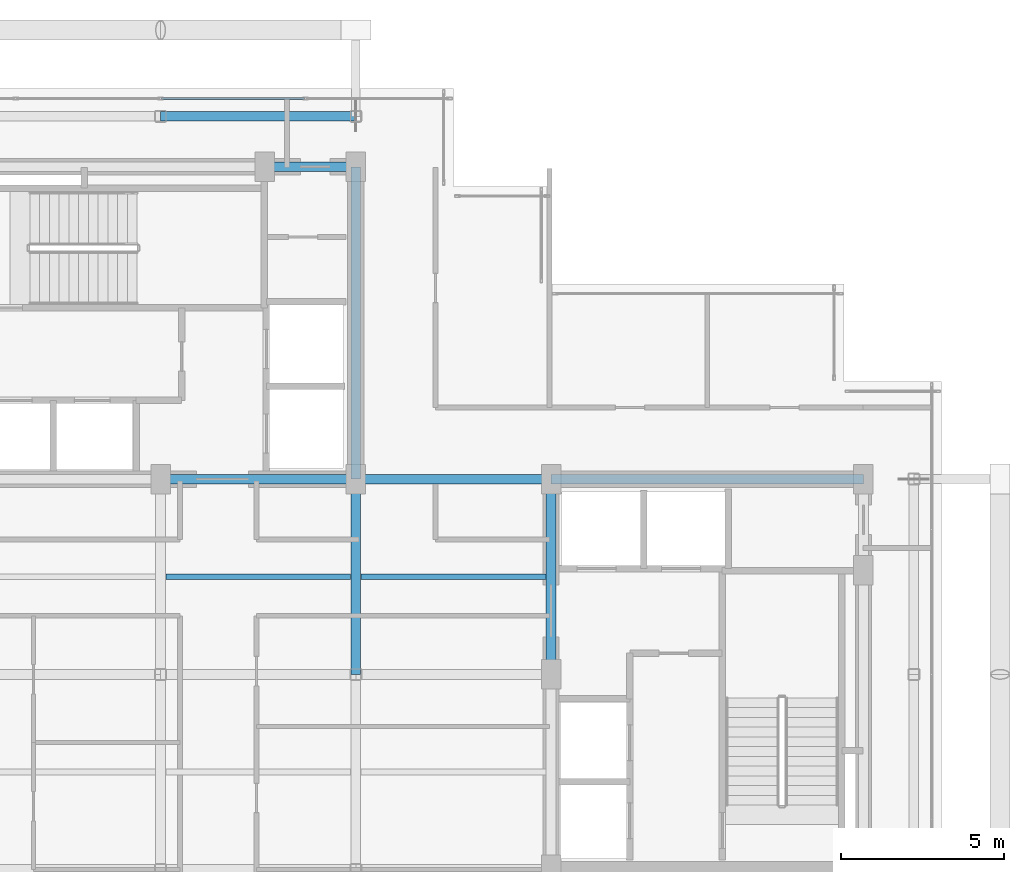
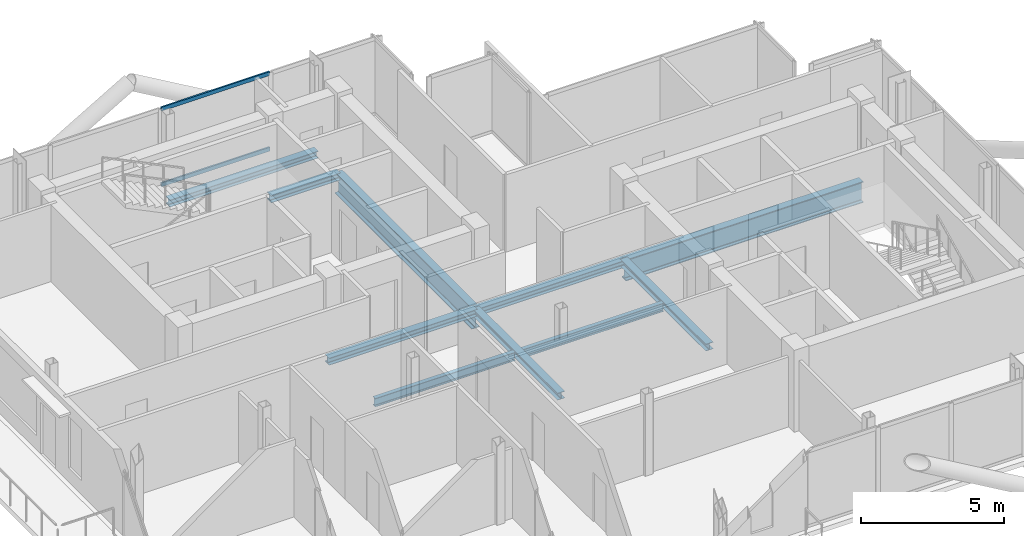
# One storey, part 9 of 18: 10 beams, 2 members, 1 element without a shape of its own.
"""IFC4 building model written with IfcOpenShell, lengths in metres."""

from ifc_helpers import new_model, si_unit, direction, frame, origin, origin_2d, place, context, subcontext, project, spatial, hollow_rectangle, i_section, extrude, material, layer, layer_set, material_profile, profile_set, type_object, element, aggregate, save


model = new_model("IFC4")

# Units and contexts
model_context = context("Model", 3, precision=1e-05, world=origin(), true_north=direction((0.0, 1.0)))
body_context = subcontext(model_context, "Body", "Model", "MODEL_VIEW")
ifc_project = project(units=[si_unit("LENGTHUNIT", "METRE"), si_unit("AREAUNIT", "SQUARE_METRE"), si_unit("VOLUMEUNIT", "CUBIC_METRE"), si_unit("PLANEANGLEUNIT", "RADIAN"), si_unit("MASSUNIT", "GRAM", prefix="KILO"), si_unit("THERMODYNAMICTEMPERATUREUNIT", "KELVIN"), si_unit("POWERUNIT", "WATT")], contexts=[model_context])

# Site, building, storey
site_placement = place(None, origin())
site = spatial("IfcSite", under=ifc_project, at=site_placement, CompositionType="ELEMENT")
building_placement = place(site_placement, origin())
building = spatial("IfcBuilding", under=site, at=building_placement, Name="Svarakhadi Broadcast Tower", CompositionType="ELEMENT")
storey_placement = place(building_placement, frame((0.0, 0.0, 264.199951171875)))
storey = spatial("IfcBuildingStorey", under=building, at=storey_placement, Name="L66", CompositionType="ELEMENT", Elevation=264.199951171875)

# Beams
ifc_material_1 = material(Name="Steel S355J2 (IS 2062 E350C)", Category="steel")
ifc_material_profile_1 = material_profile(ifc_material_1, i_section(OverallWidth=0.169921875, OverallDepth=0.360107421875, WebThickness=0.008056640625, FlangeThickness=0.0126953125, FilletRadius=0.01806640625, at=origin_2d()), Name="NPB 360x170x57")
ifc_profile_set_1 = profile_set([ifc_material_profile_1], Name="Steel S355J2 (IS 2062 E350C)")
beam_type_1 = type_object("IfcBeamType", Name="Beam_NPB360", PredefinedType="BEAM", material=ifc_profile_set_1)
for number, where, z_axis, x_axis, name in (
    (1, (12.159912109375, 15.0, -0.3798828125), (1.0, 0.0, 0.0), (0.0, 1.0, 0.0), "L66 Secondary Composite Beam SB009"),
    (2, (18.159912109375, 15.0, -0.3798828125), (1.0, 0.0, 0.0), (0.0, 1.0, 0.0), "L66 Secondary Composite Beam SB012"),
):
    element("IfcBeam", number, at=place(storey_placement, frame(where, z_axis=z_axis, x_axis=x_axis)), inside=storey, type_object=beam_type_1, Name=name, PredefinedType="BEAM", context=body_context, shape_type="SweptSolid", body=[
        extrude(i_section(OverallWidth=0.169921875, OverallDepth=0.360107421875, WebThickness=0.008056640625, FlangeThickness=0.0126953125, FilletRadius=0.01806640625, at=origin_2d()), origin(), (0.0, 0.0, 1.0), 5.68017578125),
    ])

# Curtain wall, members
ifc_material_2 = material(Name="Anodised Bronze Aluminium AA 6063-T6", Category="aluminium")
ifc_layer = layer(ifc_material_2, 0.179931640625)
ifc_layer_set = layer_set([ifc_layer], Name="Anodised Bronze Aluminium AA 6063-T6")
curtain_wall_type = type_object("IfcCurtainWallType", Name="CW_Sys_05", PredefinedType="NOTDEFINED", material=ifc_layer_set)
curtain_wall_placement = place(storey_placement, origin())
curtain_wall = element("IfcCurtainWall", 3, at=curtain_wall_placement, inside=storey, type_object=curtain_wall_type, Name="L66 Unitised Facade Curtain Wall 06", PredefinedType="NOTDEFINED")
ifc_material_profile_2 = material_profile(ifc_material_2, hollow_rectangle(XDim=0.06494140625, YDim=0.1650390625, WallThickness=0.0048828125, at=origin_2d()), Name="ALU TRANSOM 165x65x5")
ifc_profile_set_2 = profile_set([ifc_material_profile_2], Name="Anodised Bronze Aluminium AA 6063-T6")
member_type = type_object("IfcMemberType", Name="CW_Sys_05_Trn", PredefinedType="USERDEFINED", material=ifc_profile_set_2)
member_1_placement = place(storey_placement, frame((12.034912109375, 29.699951171875, 0.032470703125), z_axis=(1.0, 0.0, 0.0), x_axis=(0.0, 1.0, 0.0)))
member_1 = element("IfcMember", 4, at=member_1_placement, type_object=member_type, Name="CW-05 transom 3.1", ObjectType="TRANSOM", PredefinedType="USERDEFINED", context=body_context, shape_type="SweptSolid", body=[
    extrude(hollow_rectangle(XDim=0.06494140625, YDim=0.1650390625, WallThickness=0.0048828125, at=origin_2d()), origin(), (0.0, 0.0, 1.0), 4.385009765625),
])
member_2_placement = place(storey_placement, frame((12.034912109375, 29.699951171875, 3.267578125), z_axis=(1.0, 0.0, 0.0), x_axis=(0.0, 1.0, 0.0)))
member_2 = element("IfcMember", 5, at=member_2_placement, type_object=member_type, Name="CW-05 transom 3.2", ObjectType="TRANSOM", PredefinedType="USERDEFINED", context=body_context, shape_type="SweptSolid", body=[
    extrude(hollow_rectangle(XDim=0.06494140625, YDim=0.1650390625, WallThickness=0.0048828125, at=origin_2d()), origin(), (0.0, 0.0, 1.0), 4.385009765625),
])
aggregate(curtain_wall, [member_1, member_2])

# Beams
ifc_material_profile_3 = material_profile(ifc_material_1, i_section(OverallWidth=0.300048828125, OverallDepth=0.300048828125, WebThickness=0.010986328125, FlangeThickness=0.01904296875, FilletRadius=0.027099609375, at=origin_2d()), Name="WPB 300x300x117")
ifc_profile_set_3 = profile_set([ifc_material_profile_3], Name="Steel S355J2 (IS 2062 E350C)")
beam_type_2 = type_object("IfcBeamType", Name="Girder_WPB300", PredefinedType="USERDEFINED", material=ifc_profile_set_3)
for number, where, z_axis, x_axis, name in (
    (6, (12.0, 18.0, -0.349853515625), (1.0, 0.0, 0.0), (0.0, 1.0, 0.0), "L66 Primary E-W Girder G019"),
    (7, (18.0, 18.0, -0.349853515625), (1.0, 0.0, 0.0), (0.0, 1.0, 0.0), "L66 Primary E-W Girder G020"),
):
    element("IfcBeam", number, at=place(storey_placement, frame(where, z_axis=z_axis, x_axis=x_axis)), inside=storey, type_object=beam_type_2, Name=name, ObjectType="GIRDER", PredefinedType="USERDEFINED", context=body_context, shape_type="SweptSolid", body=[
        extrude(i_section(OverallWidth=0.300048828125, OverallDepth=0.300048828125, WebThickness=0.010986328125, FlangeThickness=0.01904296875, FilletRadius=0.027099609375, at=origin_2d()), origin(), (0.0, 0.0, 1.0), 6.0),
    ])
beam_placement = place(storey_placement, frame((15.199951171875, 27.60009765625, -0.349853515625), z_axis=(1.0, 0.0, 0.0), x_axis=(0.0, 1.0, 0.0)))
element("IfcBeam", 8, at=beam_placement, inside=storey, type_object=beam_type_2, Name="L66 Primary E-W Girder G023", ObjectType="GIRDER", PredefinedType="USERDEFINED", context=body_context, shape_type="SweptSolid", body=[
    extrude(i_section(OverallWidth=0.300048828125, OverallDepth=0.300048828125, WebThickness=0.010986328125, FlangeThickness=0.01904296875, FilletRadius=0.027099609375, at=origin_2d()), origin(), (0.0, 0.0, 1.0), 2.800048828125),
])
for number, where, z_axis, x_axis, name in (
    (9, (12.0, 29.14990234375, -0.349853515625), (1.0, 0.0, 0.0), (0.0, 1.0, 0.0), "L66 Primary E-W Girder G025"),
    (10, (18.0, 12.0, -0.349853515625), (0.0, 1.0, 0.0), (-1.0, 0.0, 0.0), "L66 Primary N-S Girder G038"),
    (11, (24.0, 12.0, -0.349853515625), (0.0, 1.0, 0.0), (-1.0, 0.0, 0.0), "L66 Primary N-S Girder G042"),
):
    element("IfcBeam", number, at=place(storey_placement, frame(where, z_axis=z_axis, x_axis=x_axis)), inside=storey, type_object=beam_type_2, Name=name, ObjectType="GIRDER", PredefinedType="USERDEFINED", context=body_context, shape_type="SweptSolid", body=[
        extrude(i_section(OverallWidth=0.300048828125, OverallDepth=0.300048828125, WebThickness=0.010986328125, FlangeThickness=0.01904296875, FilletRadius=0.027099609375, at=origin_2d()), origin(), (0.0, 0.0, 1.0), 6.0),
    ])
ifc_material_3 = material(Name="Steel S460ML (IS 2062 E450BR)", Category="steel")
ifc_material_profile_4 = material_profile(ifc_material_3, i_section(OverallWidth=0.300048828125, OverallDepth=0.89990234375, WebThickness=0.0185546875, FlangeThickness=0.034912109375, FilletRadius=0.030029296875, at=origin_2d()), Name="WPB 900x300x291")
ifc_profile_set_4 = profile_set([ifc_material_profile_4], Name="Steel S460ML (IS 2062 E450BR)")
beam_type_3 = type_object("IfcBeamType", Name="Girder_WPB900", PredefinedType="USERDEFINED", material=ifc_profile_set_4)
for number, where, z_axis, x_axis, name in (
    (12, (24.0, 18.0, -0.64990234375), (1.0, 0.0, 0.0), (0.0, 1.0, 0.0), "L66 Primary E-W Girder G021"),
    (13, (18.0, 18.0, -0.64990234375), (0.0, 1.0, 0.0), (-1.0, 0.0, 0.0), "L66 Primary N-S Girder G039"),
):
    element("IfcBeam", number, at=place(storey_placement, frame(where, z_axis=z_axis, x_axis=x_axis)), inside=storey, type_object=beam_type_3, Name=name, ObjectType="GIRDER", PredefinedType="USERDEFINED", context=body_context, shape_type="SweptSolid", body=[
        extrude(i_section(OverallWidth=0.300048828125, OverallDepth=0.89990234375, WebThickness=0.0185546875, FlangeThickness=0.034912109375, FilletRadius=0.030029296875, at=origin_2d()), origin(), (0.0, 0.0, 1.0), 9.60009765625),
    ])

save(model, "model.ifc")
